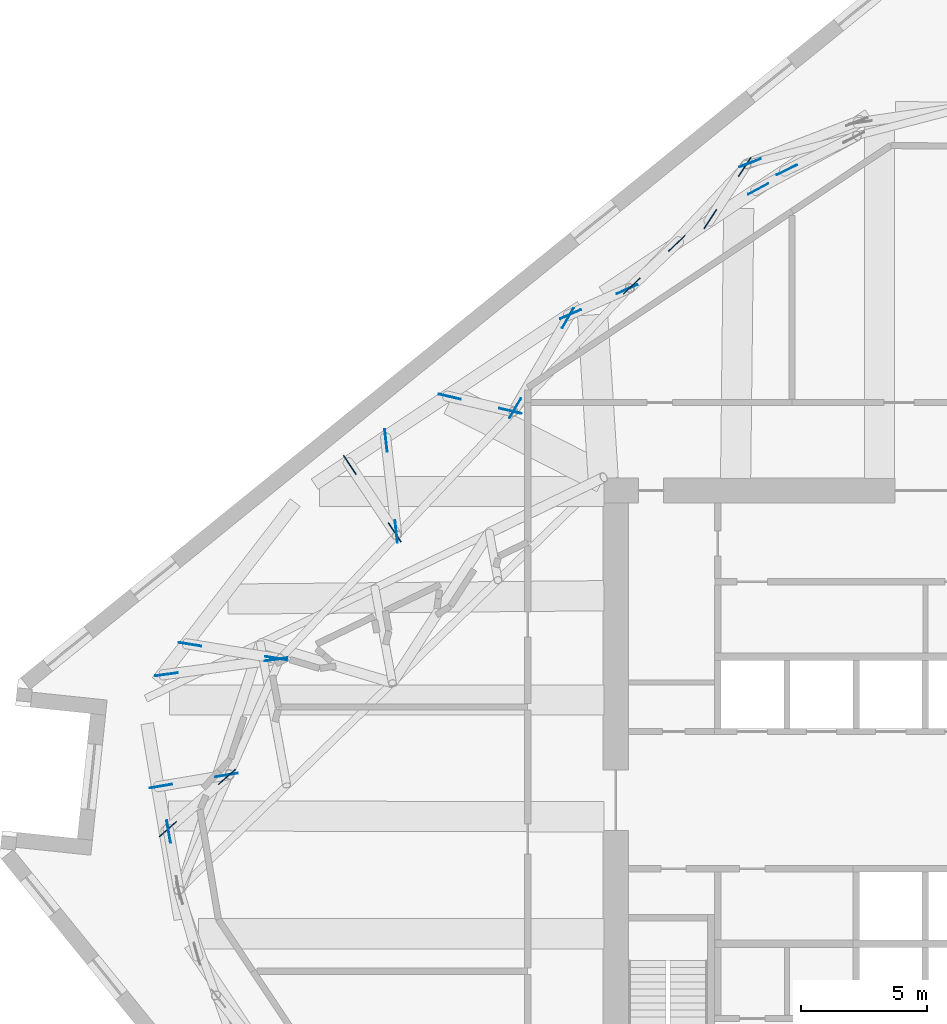
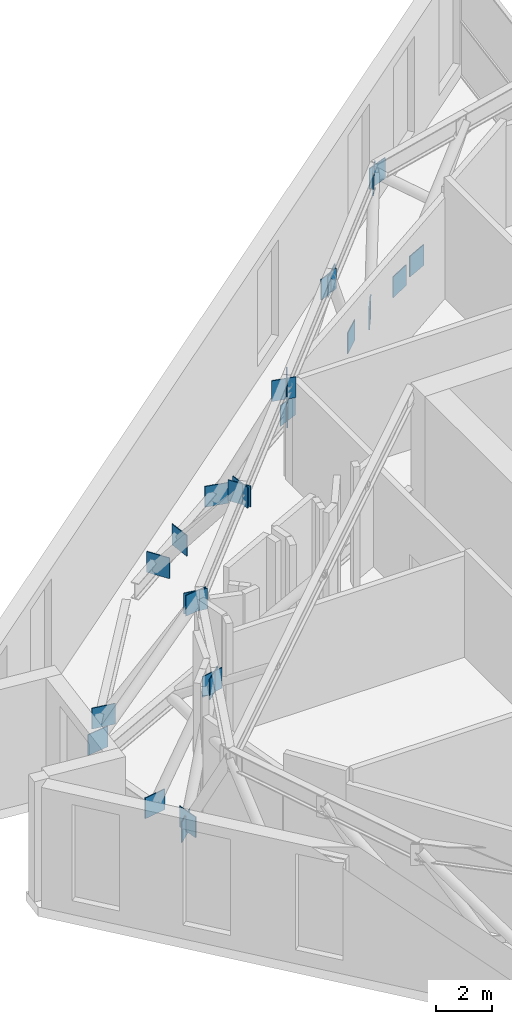
# One storey, part 14 of 17: 26 discrete accessories.
"""IFC4 building model written with IfcOpenShell, lengths in metres."""

from ifc_helpers import new_model, si_unit, direction, frame, origin, origin_2d, place, context, subcontext, project, spatial, rectangle, extrude, material, layer, layer_set, type_object, element, save


model = new_model("IFC4")

# Units and contexts
model_context = context("Model", 3, precision=1e-05, world=origin(), true_north=direction((0.0, 1.0)))
body_context = subcontext(model_context, "Body", "Model", "MODEL_VIEW")
ifc_project = project(units=[si_unit("LENGTHUNIT", "METRE"), si_unit("AREAUNIT", "SQUARE_METRE"), si_unit("VOLUMEUNIT", "CUBIC_METRE"), si_unit("PLANEANGLEUNIT", "RADIAN"), si_unit("MASSUNIT", "GRAM", prefix="KILO")], contexts=[model_context])

# Site, building, storey
site_placement = place(None, origin())
site = spatial("IfcSite", under=ifc_project, at=site_placement, CompositionType="ELEMENT")
building_placement = place(site_placement, origin())
building = spatial("IfcBuilding", under=site, at=building_placement, Name="Dilmun Exchange Tower", CompositionType="ELEMENT")
storey_placement = place(building_placement, frame((0.0, 0.0, 183.699951171875)))
storey = spatial("IfcBuildingStorey", under=building, at=storey_placement, Name="L43", CompositionType="ELEMENT", Elevation=183.699951171875)

# Discrete accessories
ifc_material = material(Name="Steel S355J2", Category="steel")
ifc_layer = layer(ifc_material, 0.034912109375)
ifc_layer_set = layer_set([ifc_layer], Name="Steel S355J2")
discrete_accessory_type = type_object("IfcDiscreteAccessoryType", Name="Gusset plate 35 x 900 x 900", PredefinedType="BRACKET", material=ifc_layer_set)
for number, where, z_axis, x_axis, name in (
    (1, (-5.4970703125, 25.038818359375, 0.08251953125), (0.0, 0.0, 1.0), (-0.89861800043, -0.438731910514, 0.0), "Gusset plate L43-DG03 end 2"),
    (2, (-6.637939453125, 24.281005859375, 0.056396484375), (0.0, 0.0, 1.0), (-0.880132077859, -0.47472889687, 0.0), "Gusset plate L43-DG04 end 2"),
    (3, (-6.958251953125, 25.31689453125, 4.211181640625), (0.0, 0.0, 1.0), (0.932783157662, 0.360438040142, 0.0), "Gusset plate L43-DG05 end 1"),
    (4, (-7.17724609375, 25.1591796875, 4.1708984375), (0.0, 0.0, 1.0), (-0.549292659796, -0.83563004607, 0.0), "Gusset plate L43-DG06 end 1"),
    (5, (-8.54052734375, 23.08544921875, 0.09228515625), (0.0, 0.0, 1.0), (-0.549292659796, -0.83563004607, 0.0), "Gusset plate L43-DG06 end 2"),
    (6, (-11.84912109375, 20.298095703125, 4.17041015625), (0.0, 0.0, 1.0), (-0.914307687206, -0.405020311979, 0.0), "Gusset plate L43-DG07 end 1"),
    (7, (-14.095703125, 19.302734375, 0.0927734375), (0.0, 0.0, 1.0), (-0.914307687206, -0.405020311979, 0.0), "Gusset plate L43-DG07 end 2"),
    (8, (-11.65869140625, 20.4248046875, 4.17041015625), (0.0, 0.0, 1.0), (0.725436841104, 0.688288739969, 0.0), "Gusset plate L43-DG08 end 1"),
    (9, (-9.876220703125, 22.1162109375, 0.0927734375), (0.0, 0.0, 1.0), (0.725436841104, 0.688288739969, 0.0), "Gusset plate L43-DG08 end 2"),
    (10, (-16.291259765625, 15.572998046875, 4.20703125), (0.0, 0.0, 1.0), (0.504514061567, 0.863403475602, 0.0), "Gusset plate L43-DG09 end 1"),
    (11, (-14.198974609375, 19.1533203125, 0.209716796875), (0.0, 0.0, 1.0), (0.504514061567, 0.863403475602, 0.0), "Gusset plate L43-DG09 end 2"),
    (12, (-16.486572265625, 15.459716796875, 4.170654296875), (0.0, 0.0, 1.0), (-0.973560566553, 0.228429033299, 0.0), "Gusset plate L43-DG10 end 1"),
    (13, (-18.89501953125, 16.024658203125, 0.092529296875), (0.0, 0.0, 1.0), (-0.973560566553, 0.228429033299, 0.0), "Gusset plate L43-DG10 end 2"),
    (14, (-21.080078125, 10.636474609375, 4.18603515625), (0.0, 0.0, 1.0), (-0.554673075686, 0.832068374059, 0.0), "Gusset plate L43-DG11 end 1"),
    (15, (-22.86474609375, 13.31396484375, 0.0771484375), (0.0, 0.0, 1.0), (-0.554673075686, 0.832068374059, 0.0), "Gusset plate L43-DG11 end 2"),
    (16, (-21.019775390625, 10.668701171875, 4.1943359375), (0.0, 0.0, 1.0), (-0.112192169195, 0.993686528625, 0.0), "Gusset plate L43-DG12 end 1"),
    (17, (-21.427490234375, 14.280029296875, 0.06884765625), (0.0, 0.0, 1.0), (-0.112192169195, 0.993686528625, 0.0), "Gusset plate L43-DG12 end 2"),
    (18, (-25.795166015625, 5.5869140625, 4.20849609375), (0.0, 0.0, 1.0), (-0.990874368365, -0.134788672067, 0.0), "Gusset plate L43-DG13 end 1"),
    (19, (-30.15380859375, 4.993896484375, 0.0546875), (0.0, 0.0, 1.0), (-0.990874368365, -0.134788672067, 0.0), "Gusset plate L43-DG13 end 2"),
    (20, (-25.776611328125, 5.632080078125, 4.19140625), (0.0, 0.0, 1.0), (-0.98724208518, 0.159226459013, 0.0), "Gusset plate L43-DG14 end 1"),
    (21, (-29.2177734375, 6.187255859375, 0.07177734375), (0.0, 0.0, 1.0), (-0.98724208518, 0.159226459013, 0.0), "Gusset plate L43-DG14 end 2"),
    (22, (-27.7666015625, 0.9931640625, 4.17431640625), (0.0, 0.0, 1.0), (-0.986049542439, -0.16645209478, 0.0), "Gusset plate L43-DG15 end 1"),
    (23, (-30.3759765625, 0.552734375, 0.0888671875), (0.0, 0.0, 1.0), (-0.986049542439, -0.16645209478, 0.0), "Gusset plate L43-DG15 end 2"),
    (24, (-27.748291015625, 0.923095703125, 4.18408203125), (0.0, 0.0, 1.0), (-0.749077139678, -0.662482783785, 0.0), "Gusset plate L43-DG16 end 1"),
    (25, (-30.0947265625, -1.152099609375, 0.0791015625), (0.0, 0.0, 1.0), (-0.749077139678, -0.662482783785, 0.0), "Gusset plate L43-DG16 end 2"),
    (26, (-30.06396484375, -1.25341796875, 0.29345703125), (0.0, 0.0, 1.0), (-0.1713685676, 0.985206990454, 0.0), "Gusset plate L43-DG18 end 2"),
):
    element("IfcDiscreteAccessory", number, at=place(storey_placement, frame(where, z_axis=z_axis, x_axis=x_axis)), inside=storey, type_object=discrete_accessory_type, Name=name, PredefinedType="BRACKET", context=body_context, shape_type="SweptSolid", body=[
        extrude(rectangle(XDim=0.89990234375, YDim=0.034912109375, at=origin_2d()), origin(), (0.0, 0.0, 1.0), 0.89990234375),
    ])

save(model, "model.ifc")
